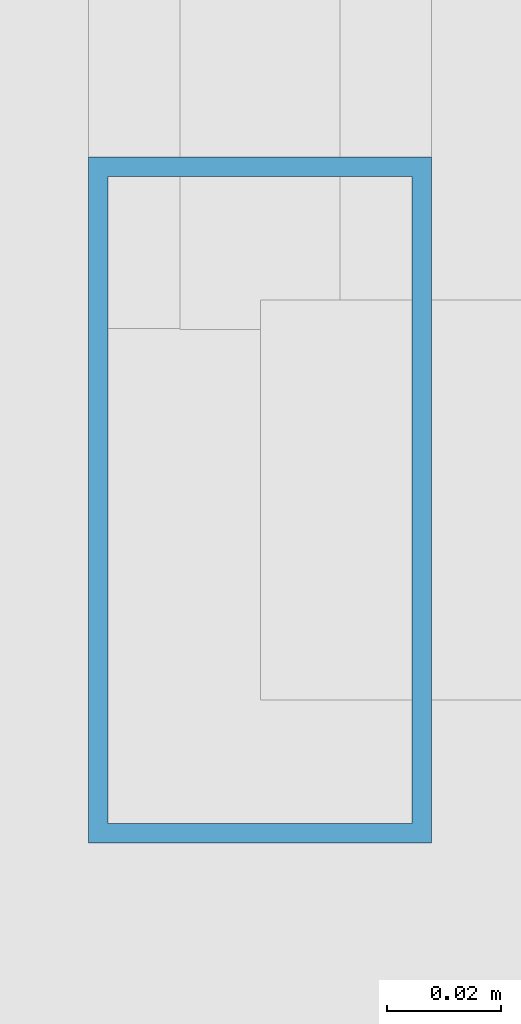
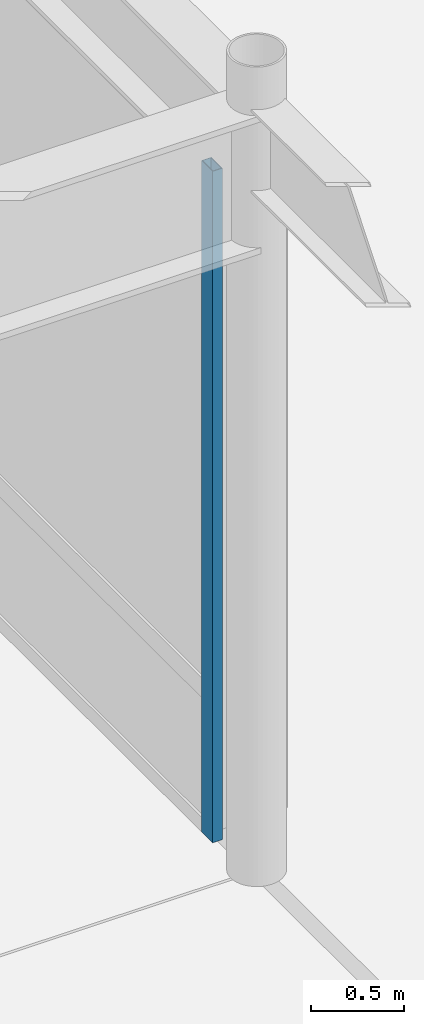
# One storey, part 71 of 143: 1 member, 1 element without a shape of its own.
"""IFC4 building model written with IfcOpenShell, lengths in metres."""

from ifc_helpers import new_model, si_unit, direction, frame, origin, origin_2d, place, context, subcontext, project, spatial, hollow_rectangle, extrude, material, layer, layer_set, material_profile, profile_set, type_object, element, aggregate, save


model = new_model("IFC4")

# Units and contexts
model_context = context("Model", 3, precision=1e-05, world=origin(), true_north=direction((0.0, 1.0)))
body_context = subcontext(model_context, "Body", "Model", "MODEL_VIEW")
ifc_project = project(units=[si_unit("LENGTHUNIT", "METRE"), si_unit("AREAUNIT", "SQUARE_METRE"), si_unit("VOLUMEUNIT", "CUBIC_METRE"), si_unit("PLANEANGLEUNIT", "RADIAN"), si_unit("MASSUNIT", "GRAM", prefix="KILO")], contexts=[model_context])

# Site, building, storey
site_placement = place(None, origin())
site = spatial("IfcSite", under=ifc_project, at=site_placement, CompositionType="ELEMENT")
building_placement = place(site_placement, origin())
building = spatial("IfcBuilding", under=site, at=building_placement, Name="Montelvaro Courts of Justice", CompositionType="ELEMENT")
storey_placement = place(building_placement, origin())
storey = spatial("IfcBuildingStorey", under=building, at=storey_placement, Name="L00", CompositionType="ELEMENT", Elevation=0.0)

# Curtain wall, member
ifc_material = material(Name="Anodised aluminium EN AW-6063", Category="aluminium")
ifc_layer = layer(ifc_material, 0.159912109375)
ifc_layer_set = layer_set([ifc_layer], Name="Anodised aluminium EN AW-6063")
curtain_wall_type = type_object("IfcCurtainWallType", Name="CurtainWall_02_1727x508", PredefinedType="USERDEFINED", material=ifc_layer_set)
curtain_wall_placement = place(storey_placement, origin())
curtain_wall = element("IfcCurtainWall", 1, at=curtain_wall_placement, inside=storey, type_object=curtain_wall_type, Name="Curtain Wall CW-02 (L00)", ObjectType="CURTAIN WALL", PredefinedType="USERDEFINED")
ifc_material_profile = material_profile(ifc_material, hollow_rectangle(XDim=0.06005859375, YDim=0.1201171875, WallThickness=0.00341796875, at=origin_2d()), Name="ALU-M 60x120")
ifc_profile_set = profile_set([ifc_material_profile], Name="Anodised aluminium EN AW-6063")
member_type = type_object("IfcMemberType", Name="CurtainWall_Mullion_60x120", PredefinedType="MULLION", material=ifc_profile_set)
member_placement = place(storey_placement, frame((80.949951171875, 78.39501953125, 0.0), z_axis=(0.0, 0.0, 1.0), x_axis=(-1.0, 0.0, 0.0)))
member = element("IfcMember", 2, at=member_placement, type_object=member_type, Name="CW-02 mullion 1", PredefinedType="MULLION", context=body_context, shape_type="SweptSolid", body=[
    extrude(hollow_rectangle(XDim=0.06005859375, YDim=0.1201171875, WallThickness=0.00341796875, at=origin_2d()), origin(), (0.0, 0.0, 1.0), 4.425048828125),
])
aggregate(curtain_wall, [member])

save(model, "model.ifc")
